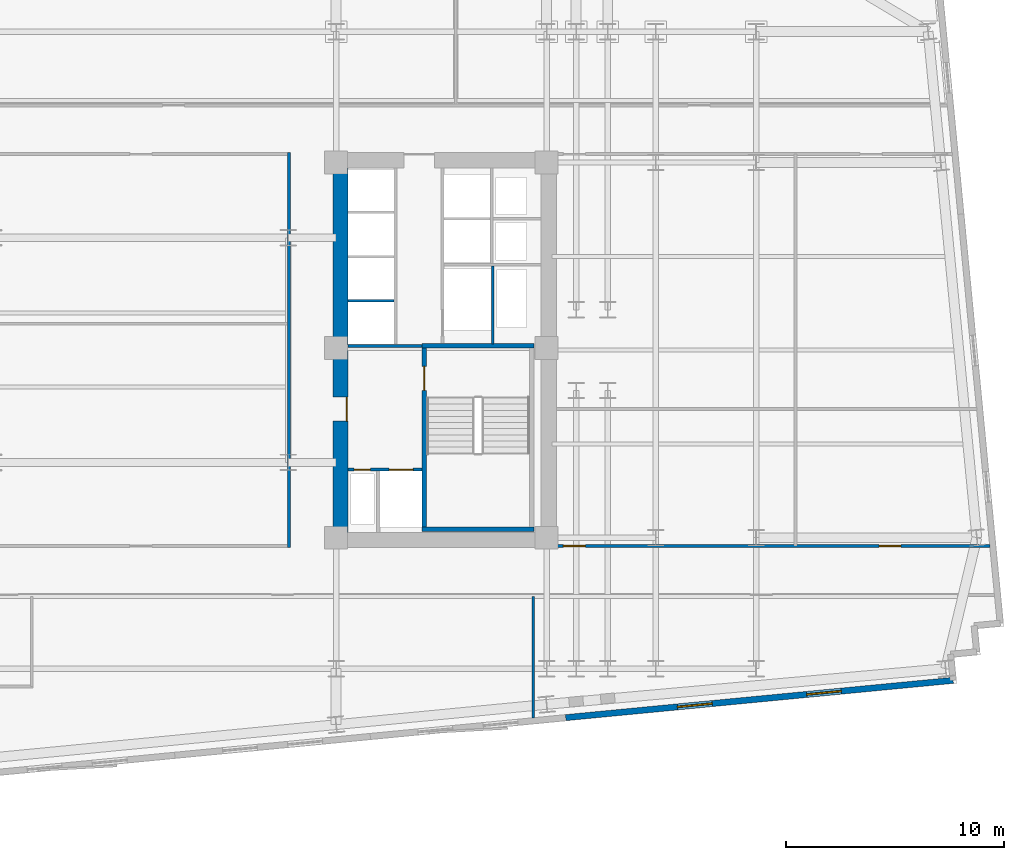
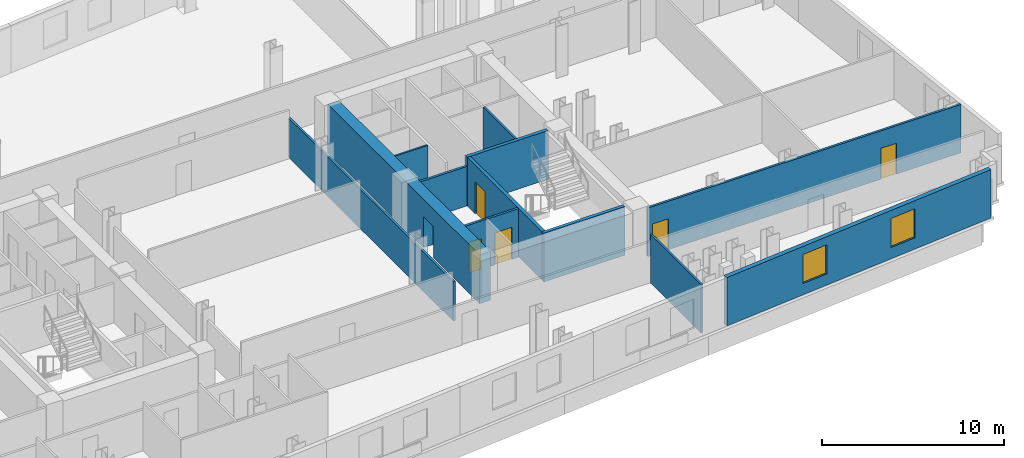
# One storey, part 6 of 10: 12 walls, 6 doors, 2 windows, 8 openings.
"""IFC4 building model written with IfcOpenShell, lengths in metres."""

from ifc_helpers import new_model, si_unit, direction, frame, frame_2d, origin, place, context, subcontext, project, spatial, rectangle, extrude, material, layer, layer_set, type_object, element, fill, save


model = new_model("IFC4")

# Units and contexts
model_context = context("Model", 3, precision=1e-05, world=origin(), true_north=direction((0.0, 1.0)))
body_context = subcontext(model_context, "Body", "Model", "MODEL_VIEW")
ifc_project = project(units=[si_unit("LENGTHUNIT", "METRE"), si_unit("AREAUNIT", "SQUARE_METRE"), si_unit("VOLUMEUNIT", "CUBIC_METRE"), si_unit("PLANEANGLEUNIT", "RADIAN"), si_unit("MASSUNIT", "GRAM", prefix="KILO")], contexts=[model_context])

# Site, building, storey
site_placement = place(None, origin())
site = spatial("IfcSite", under=ifc_project, at=site_placement, CompositionType="ELEMENT")
building_placement = place(site_placement, origin())
building = spatial("IfcBuilding", under=site, at=building_placement, Name="Velakula Bourse", CompositionType="ELEMENT")
storey_placement = place(building_placement, frame((0.0, 0.0, 74.199951171875)))
storey = spatial("IfcBuildingStorey", under=building, at=storey_placement, Name="L19", CompositionType="ELEMENT", Elevation=74.199951171875)

# Wall, opening, door
ifc_material_1 = material(Name="Concrete M50 (fck 50 MPa)", Category="concrete")
ifc_layer_1 = layer(ifc_material_1, 0.2099609375, Name="Concrete M50 (fck 50 MPa)", Category="concrete")
ifc_layer_set_1 = layer_set([ifc_layer_1], Name="Concrete M50 (fck 50 MPa)")
wall_type_1 = type_object("IfcWallType", Name="WL-CORE-210", PredefinedType="SHEAR", material=ifc_layer_set_1)
wall_1_placement = place(storey_placement, frame((12.9951171875, -8.10009765625, 0.0), z_axis=(0.0, 0.0, 1.0), x_axis=(0.0, 1.0, 0.0)))
wall_1 = element("IfcWall", 1, at=wall_1_placement, inside=storey, type_object=wall_type_1, Name="L19 Core E Stairwell Shear Wall IN", PredefinedType="SHEAR", context=body_context, shape_type="SweptSolid", body=[
    extrude(rectangle(XDim=8.2001953125, YDim=0.2099609375, at=frame_2d((4.10009765625, 0.0))), origin(), (0.0, 0.0, 1.0), 3.27001953125),
])
opening_1_placement = place(wall_1_placement, frame((6.25, 0.0, 0.0)))
opening_1 = element("IfcOpeningElement", 2, at=opening_1_placement, cuts=wall_1, Name="Opening D-STE1", PredefinedType="OPENING", context=body_context, shape_type="SweptSolid", body=[
    extrude(rectangle(XDim=1.10009765625, YDim=2.14990234375, at=frame_2d((0.550048828125, 1.074951171875))), frame((0.0, 0.114990234375, 0.0), z_axis=(0.0, -1.0, 0.0), x_axis=(1.0, 0.0, 0.0)), (0.0, 0.0, 1.0), 0.22998046875),
])
ifc_material_2 = material(Name="Galvanised painted hollow steel fire door", Category="steel")
door_type_1 = type_object("IfcDoorType", Name="DR-FD120-1100x2150", OperationType="NOTDEFINED", PredefinedType="DOOR", material=ifc_material_2)
door_1_placement = place(opening_1_placement, origin())
door_1 = element("IfcDoor", 3, at=door_1_placement, inside=storey, type_object=door_type_1, Name="L19 Stair ST-E1 Fire Door", OperationType="SINGLE_SWING_RIGHT", OverallHeight=2.14990234375, OverallWidth=1.10009765625, PredefinedType="DOOR", context=body_context, shape_type="SweptSolid", body=[
    extrude(rectangle(XDim=1.10009765625, YDim=2.14990234375, at=frame_2d((0.550048828125, 1.074951171875))), frame((0.0, 0.02490234375, 0.0), z_axis=(0.0, -1.0, 0.0), x_axis=(1.0, 0.0, 0.0)), (0.0, 0.0, 1.0), 0.050048828125),
])
fill(opening_1, door_1)

# Walls
for number, where, z_axis, x_axis, name in (
    (4, (12.889892578125, -8.205078125, 0.0), (0.0, 0.0, 1.0), (1.0, 0.0, 0.0), "L19 Core E Stairwell Shear Wall S"),
    (5, (18.030029296875, 0.205078125, 0.0), (0.0, 0.0, 1.0), (-1.0, 0.0, 0.0), "L19 Core E Stairwell Shear Wall N"),
):
    element("IfcWall", number, at=place(storey_placement, frame(where, z_axis=z_axis, x_axis=x_axis)), inside=storey, type_object=wall_type_1, Name=name, PredefinedType="SHEAR", context=body_context, shape_type="SweptSolid", body=[
        extrude(rectangle(XDim=5.14013671875, YDim=0.2099609375, at=frame_2d((2.570068359375, 0.0))), origin(), (0.0, 0.0, 1.0), 3.27001953125),
    ])

# Wall, opening, door
ifc_material_3 = material(Name="Concrete M70 (fck 70 MPa)", Category="concrete")
ifc_layer_2 = layer(ifc_material_3, 0.699951171875, Name="Concrete M70 (fck 70 MPa)", Category="concrete")
ifc_layer_set_2 = layer_set([ifc_layer_2], Name="Concrete M70 (fck 70 MPa)")
wall_type_2 = type_object("IfcWallType", Name="WL-CORE-700", PredefinedType="SHEAR", material=ifc_layer_set_2)
wall_2_placement = place(storey_placement, frame((9.14990234375, -8.35009765625, 0.0), z_axis=(0.0, 0.0, 1.0), x_axis=(0.0, 1.0, 0.0)))
wall_2 = element("IfcWall", 6, at=wall_2_placement, inside=storey, type_object=wall_type_2, Name="L19 Core E Shear Wall W", PredefinedType="SHEAR", context=body_context, shape_type="SweptSolid", body=[
    extrude(rectangle(XDim=16.7001953125, YDim=0.699951171875, at=frame_2d((8.35009765625, 0.0))), origin(), (0.0, 0.0, 1.0), 3.27001953125),
])
opening_2_placement = place(wall_2_placement, frame((5.10009765625, 0.0, 0.0)))
opening_2 = element("IfcOpeningElement", 7, at=opening_2_placement, cuts=wall_2, Name="Opening D-FLE", PredefinedType="OPENING", context=body_context, shape_type="SweptSolid", body=[
    extrude(rectangle(XDim=1.10009765625, YDim=2.080078125, at=frame_2d((0.550048828125, 1.0400390625))), frame((0.0, 0.35986328125, 0.0), z_axis=(0.0, -1.0, 0.0), x_axis=(1.0, 0.0, 0.0)), (0.0, 0.0, 1.0), 0.719970703125),
])
door_type_2 = type_object("IfcDoorType", Name="DR-FD120-1100", OperationType="NOTDEFINED", PredefinedType="DOOR", material=ifc_material_2)
door_2_placement = place(opening_2_placement, origin())
door_2 = element("IfcDoor", 8, at=door_2_placement, inside=storey, type_object=door_type_2, Name="L19 Firefighting Lobby E Corridor Fire Door", OperationType="SINGLE_SWING_RIGHT", OverallHeight=2.080078125, OverallWidth=1.10009765625, PredefinedType="DOOR", context=body_context, shape_type="SweptSolid", body=[
    extrude(rectangle(XDim=1.10009765625, YDim=2.080078125, at=frame_2d((0.550048828125, 1.0400390625))), frame((0.0, -0.2548828125, 0.0), z_axis=(0.0, -1.0, 0.0), x_axis=(1.0, 0.0, 0.0)), (0.0, 0.0, 1.0), 0.050048828125),
])
fill(opening_2, door_2)

# Wall, openings, windows
ifc_material_4 = material(Name="Red kilned clay facing brick masonry", Category="masonry")
ifc_layer_3 = layer(ifc_material_4, 0.280029296875, Name="Red kilned clay facing brick masonry", Category="masonry")
ifc_layer_set_3 = layer_set([ifc_layer_3], Name="Red kilned clay facing brick masonry")
wall_type_3 = type_object("IfcWallType", Name="WL-EXT-BRK-280", PredefinedType="STANDARD", material=ifc_layer_set_3)
wall_3_placement = place(storey_placement, frame((37.2314453125, -15.138427734375, 0.0), z_axis=(0.0, 0.0, 1.0), x_axis=(-0.995395780835, -0.095850088663, 0.0)))
wall_3 = element("IfcWall", 9, at=wall_3_placement, inside=storey, type_object=wall_type_3, Name="L19 S Brick Spandrel Wall B5", PredefinedType="STANDARD", context=body_context, shape_type="SweptSolid", body=[
    extrude(rectangle(XDim=17.83984375, YDim=0.280029296875, at=frame_2d((8.919921875, 0.0))), origin(), (0.0, 0.0, 1.0), 3.25),
])
opening_3_placement = place(wall_3_placement, frame((5.146728515625, 0.0, 0.760009765625)))
opening_3 = element("IfcOpeningElement", 10, at=opening_3_placement, cuts=wall_3, Name="Opening W-02", PredefinedType="OPENING", context=body_context, shape_type="SweptSolid", body=[
    extrude(rectangle(XDim=1.60009765625, YDim=1.949951171875, at=frame_2d((0.800048828125, 0.97509765625))), frame((0.0, 0.14990234375, 0.0), z_axis=(0.0, -1.0, 0.0), x_axis=(1.0, 0.0, 0.0)), (0.0, 0.0, 1.0), 0.300048828125),
])
opening_4_placement = place(wall_3_placement, frame((11.09326171875, 0.0, 0.760009765625)))
opening_4 = element("IfcOpeningElement", 11, at=opening_4_placement, cuts=wall_3, Name="Opening W-02", PredefinedType="OPENING", context=body_context, shape_type="SweptSolid", body=[
    extrude(rectangle(XDim=1.60009765625, YDim=1.949951171875, at=frame_2d((0.800048828125, 0.97509765625))), frame((0.0, 0.14990234375, 0.0), z_axis=(0.0, -1.0, 0.0), x_axis=(1.0, 0.0, 0.0)), (0.0, 0.0, 1.0), 0.300048828125),
])
ifc_material_5 = material(Name="Double-glazed solar-control Low-E glass", Category="glass")
window_type = type_object("IfcWindowType", Name="WIN-TWR-1600x2100", PartitioningType="SINGLE_PANEL", PredefinedType="WINDOW", material=ifc_material_5)
window_1_placement = place(opening_3_placement, origin())
window_1 = element("IfcWindow", 12, at=window_1_placement, inside=storey, type_object=window_type, Name="L19 Deep-Set Recessed Window 1", OverallHeight=1.949951171875, OverallWidth=1.60009765625, PartitioningType="SINGLE_PANEL", PredefinedType="WINDOW", context=body_context, shape_type="SweptSolid", body=[
    extrude(rectangle(XDim=1.60009765625, YDim=1.949951171875, at=frame_2d((0.800048828125, 0.97509765625))), frame((0.0, 0.030029296875, 0.0), z_axis=(0.0, -1.0, 0.0), x_axis=(1.0, 0.0, 0.0)), (0.0, 0.0, 1.0), 0.06005859375),
])
fill(opening_3, window_1)
window_2_placement = place(opening_4_placement, origin())
window_2 = element("IfcWindow", 13, at=window_2_placement, inside=storey, type_object=window_type, Name="L19 Deep-Set Recessed Window 2", OverallHeight=1.949951171875, OverallWidth=1.60009765625, PartitioningType="SINGLE_PANEL", PredefinedType="WINDOW", context=body_context, shape_type="SweptSolid", body=[
    extrude(rectangle(XDim=1.60009765625, YDim=1.949951171875, at=frame_2d((0.800048828125, 0.97509765625))), frame((0.0, 0.030029296875, 0.0), z_axis=(0.0, -1.0, 0.0), x_axis=(1.0, 0.0, 0.0)), (0.0, 0.0, 1.0), 0.06005859375),
])
fill(opening_4, window_2)

# Walls
ifc_material_6 = material(Name="Fire-rated double-layer gypsum drywall partition", Category="gypsum")
ifc_layer_4 = layer(ifc_material_6, 0.1201171875, Name="Fire-rated double-layer gypsum drywall partition", Category="gypsum")
ifc_layer_set_4 = layer_set([ifc_layer_4], Name="Fire-rated double-layer gypsum drywall partition")
wall_type_4 = type_object("IfcWallType", Name="WL-PART-120", PredefinedType="STANDARD", material=ifc_layer_set_4)
wall_4_placement = place(storey_placement, frame((9.5, 2.2548828125, 0.0), z_axis=(0.0, 0.0, 1.0), x_axis=(1.0, 0.0, 0.0)))
element("IfcWall", 14, at=wall_4_placement, inside=storey, type_object=wall_type_4, Name="L19 Interior Partition WL-CRE-L19-BDIV-0", PredefinedType="STANDARD", context=body_context, shape_type="SweptSolid", body=[
    extrude(rectangle(XDim=2.10009765625, YDim=0.110107421875, at=frame_2d((1.050048828125, 0.0))), origin(), (0.0, 0.0, 1.0), 3.25),
])
wall_5_placement = place(storey_placement, frame((16.125, 0.27001953125, 0.0), z_axis=(0.0, 0.0, 1.0), x_axis=(0.0, 1.0, 0.0)))
element("IfcWall", 15, at=wall_5_placement, inside=storey, type_object=wall_type_4, Name="L19 Interior Partition WL-CRE-L19-SVL-E", PredefinedType="STANDARD", context=body_context, shape_type="SweptSolid", body=[
    extrude(rectangle(XDim=3.590087890625, YDim=0.1201171875, at=frame_2d((1.794921875, 0.0))), origin(), (0.0, 0.0, 1.0), 3.25),
])
wall_6_placement = place(storey_placement, frame((17.98095703125, -16.87158203125, 0.0), z_axis=(0.0, 0.0, 1.0), x_axis=(0.0, 1.0, 0.0)))
element("IfcWall", 16, at=wall_6_placement, inside=storey, type_object=wall_type_4, Name="L19 Interior Partition WL-INT-L19-SR-D6", PredefinedType="STANDARD", context=body_context, shape_type="SweptSolid", body=[
    extrude(rectangle(XDim=5.58154296875, YDim=0.1201171875, at=frame_2d((2.790771484375, 0.0))), origin(), (0.0, 0.0, 1.0), 3.25),
])

# Wall, openings, doors
ifc_layer_5 = layer(ifc_material_6, 0.139892578125, Name="Fire-rated double-layer gypsum drywall partition", Category="gypsum")
ifc_layer_set_5 = layer_set([ifc_layer_5], Name="Fire-rated double-layer gypsum drywall partition")
wall_type_5 = type_object("IfcWallType", Name="WL-PART-140", PredefinedType="STANDARD", material=ifc_layer_set_5)
wall_7_placement = place(storey_placement, frame((19.050048828125, -8.97998046875, 0.0), z_axis=(0.0, 0.0, 1.0), x_axis=(1.0, 0.0, 0.0)))
wall_7 = element("IfcWall", 17, at=wall_7_placement, inside=storey, type_object=wall_type_5, Name="L19 Interior Partition WL-INT-L19-E-SC", PredefinedType="STANDARD", context=body_context, shape_type="SweptSolid", body=[
    extrude(rectangle(XDim=19.87890625, YDim=0.139892578125, at=frame_2d((9.939453125, 0.0))), origin(), (0.0, 0.0, 1.0), 3.25),
])
opening_5_placement = place(wall_7_placement, frame((0.320068359375, 0.0, 0.0)))
opening_5 = element("IfcOpeningElement", 18, at=opening_5_placement, cuts=wall_7, Name="Opening D-OF1", PredefinedType="OPENING", context=body_context, shape_type="SweptSolid", body=[
    extrude(rectangle(XDim=1.0, YDim=2.080078125, at=frame_2d((0.5, 1.0400390625))), frame((0.0, 0.079833984375, 0.0), z_axis=(0.0, -1.0, 0.0), x_axis=(1.0, 0.0, 0.0)), (0.0, 0.0, 1.0), 0.159912109375),
])
opening_6_placement = place(wall_7_placement, frame((14.7890625, 0.0, 0.0)))
opening_6 = element("IfcOpeningElement", 19, at=opening_6_placement, cuts=wall_7, Name="Opening D-OF1", PredefinedType="OPENING", context=body_context, shape_type="SweptSolid", body=[
    extrude(rectangle(XDim=1.0, YDim=2.080078125, at=frame_2d((0.5, 1.0400390625))), frame((0.0, 0.079833984375, 0.0), z_axis=(0.0, -1.0, 0.0), x_axis=(1.0, 0.0, 0.0)), (0.0, 0.0, 1.0), 0.159912109375),
])
ifc_material_7 = material(Name="Fire-rated hardwood flush architectural door", Category="wood")
door_type_3 = type_object("IfcDoorType", Name="DR-OFF-1000", OperationType="NOTDEFINED", PredefinedType="DOOR", material=ifc_material_7)
door_3_placement = place(opening_5_placement, origin())
door_3 = element("IfcDoor", 20, at=door_3_placement, inside=storey, type_object=door_type_3, Name="L19 Broadcast Control Office Door", OperationType="SINGLE_SWING_LEFT", OverallHeight=2.080078125, OverallWidth=1.0, PredefinedType="DOOR", context=body_context, shape_type="SweptSolid", body=[
    extrude(rectangle(XDim=1.0, YDim=2.080078125, at=frame_2d((0.5, 1.0400390625))), frame((0.0, 0.02490234375, 0.0), z_axis=(0.0, -1.0, 0.0), x_axis=(1.0, 0.0, 0.0)), (0.0, 0.0, 1.0), 0.050048828125),
])
fill(opening_5, door_3)
door_4_placement = place(opening_6_placement, origin())
door_4 = element("IfcDoor", 21, at=door_4_placement, inside=storey, type_object=door_type_3, Name="L19 Yield Curve Seminar Room Door", OperationType="SINGLE_SWING_RIGHT", OverallHeight=2.080078125, OverallWidth=1.0, PredefinedType="DOOR", context=body_context, shape_type="SweptSolid", body=[
    extrude(rectangle(XDim=1.0, YDim=2.080078125, at=frame_2d((0.5, 1.0400390625))), frame((0.0, 0.02490234375, 0.0), z_axis=(0.0, -1.0, 0.0), x_axis=(1.0, 0.0, 0.0)), (0.0, 0.0, 1.0), 0.050048828125),
])
fill(opening_6, door_4)

# Wall
wall_8_placement = place(storey_placement, frame((6.780029296875, -9.050048828125, 0.0), z_axis=(0.0, 0.0, 1.0), x_axis=(0.0, 1.0, 0.0)))
element("IfcWall", 22, at=wall_8_placement, inside=storey, type_object=wall_type_5, Name="L19 Interior Partition WL-INT-L19-MID-E", PredefinedType="STANDARD", context=body_context, shape_type="SweptSolid", body=[
    extrude(rectangle(XDim=18.10009765625, YDim=0.139892578125, at=frame_2d((9.050048828125, 0.0))), origin(), (0.0, 0.0, 1.0), 2.64501953125),
])

# Wall, openings, doors
ifc_material_8 = material(Name="Autoclaved aerated concrete blockwork masonry", Category="masonry")
ifc_layer_6 = layer(ifc_material_8, 0.14990234375, Name="Autoclaved aerated concrete blockwork masonry", Category="masonry")
ifc_layer_set_6 = layer_set([ifc_layer_6], Name="Autoclaved aerated concrete blockwork masonry")
wall_type_6 = type_object("IfcWallType", Name="WL-SHAFT-150", PredefinedType="STANDARD", material=ifc_layer_set_6)
wall_9_placement = place(storey_placement, frame((9.5, -5.47509765625, 0.0), z_axis=(0.0, 0.0, 1.0), x_axis=(1.0, 0.0, 0.0)))
wall_9 = element("IfcWall", 23, at=wall_9_placement, inside=storey, type_object=wall_type_6, Name="L19 Interior Partition WL-CRE-L19-FFL-N", PredefinedType="STANDARD", context=body_context, shape_type="SweptSolid", body=[
    extrude(rectangle(XDim=3.39501953125, YDim=0.14990234375, at=frame_2d((1.697509765625, 0.0))), origin(), (0.0, 0.0, 1.0), 3.25),
])
opening_7_placement = place(wall_9_placement, frame((1.875, 0.0, 0.0)))
opening_7 = element("IfcOpeningElement", 24, at=opening_7_placement, cuts=wall_9, Name="Opening LD-FFL-2", PredefinedType="OPENING", context=body_context, shape_type="SweptSolid", body=[
    extrude(rectangle(XDim=1.10009765625, YDim=2.14990234375, at=frame_2d((0.550048828125, 1.074951171875))), frame((0.0, 0.0849609375, 0.0), z_axis=(0.0, -1.0, 0.0), x_axis=(1.0, 0.0, 0.0)), (0.0, 0.0, 1.0), 0.169921875),
])
opening_8_placement = place(wall_9_placement, frame((0.27490234375, 0.0, 0.0)))
opening_8 = element("IfcOpeningElement", 25, at=opening_8_placement, cuts=wall_9, Name="Opening D-RS1", PredefinedType="OPENING", context=body_context, shape_type="SweptSolid", body=[
    extrude(rectangle(XDim=0.75, YDim=2.050048828125, at=frame_2d((0.375, 1.02490234375))), frame((0.0, 0.0849609375, 0.0), z_axis=(0.0, -1.0, 0.0), x_axis=(1.0, 0.0, 0.0)), (0.0, 0.0, 1.0), 0.169921875),
])
door_type_4 = type_object("IfcDoorType", Name="DR-RISER-800", OperationType="NOTDEFINED", PredefinedType="DOOR", material=ifc_material_2)
door_5_placement = place(opening_8_placement, origin())
door_5 = element("IfcDoor", 26, at=door_5_placement, inside=storey, type_object=door_type_4, Name="L19 Fire Riser Access Door", OperationType="SINGLE_SWING_LEFT", OverallHeight=2.050048828125, OverallWidth=0.75, PredefinedType="DOOR", context=body_context, shape_type="SweptSolid", body=[
    extrude(rectangle(XDim=0.75, YDim=2.050048828125, at=frame_2d((0.375, 1.02490234375))), frame((0.0, 0.02490234375, 0.0), z_axis=(0.0, -1.0, 0.0), x_axis=(1.0, 0.0, 0.0)), (0.0, 0.0, 1.0), 0.050048828125),
])
fill(opening_8, door_5)
ifc_material_9 = material(Name="Brushed grade 316 stainless steel", Category="steel")
door_type_5 = type_object("IfcDoorType", Name="DR-SLIDE-FFL-1100", OperationType="DOUBLE_DOOR_SLIDING", PredefinedType="DOOR", material=ifc_material_9)
door_6_placement = place(opening_7_placement, origin())
door_6 = element("IfcDoor", 27, at=door_6_placement, inside=storey, type_object=door_type_5, Name="L19 Firefighting Lift FFL-2 Sliding Landing Door", OperationType="DOUBLE_DOOR_SLIDING", OverallHeight=2.14990234375, OverallWidth=1.10009765625, PredefinedType="DOOR", context=body_context, shape_type="SweptSolid", body=[
    extrude(rectangle(XDim=1.10009765625, YDim=2.14990234375, at=frame_2d((0.550048828125, 1.074951171875))), frame((0.0, 0.02490234375, 0.0), z_axis=(0.0, -1.0, 0.0), x_axis=(1.0, 0.0, 0.0)), (0.0, 0.0, 1.0), 0.050048828125),
])
fill(opening_7, door_6)

# Wall
wall_10_placement = place(storey_placement, frame((9.5, 0.18994140625, 0.0), z_axis=(0.0, 0.0, 1.0), x_axis=(1.0, 0.0, 0.0)))
element("IfcWall", 28, at=wall_10_placement, inside=storey, type_object=wall_type_6, Name="L19 Interior Partition WL-CRE-L19-FF-TOP", PredefinedType="STANDARD", context=body_context, shape_type="SweptSolid", body=[
    extrude(rectangle(XDim=3.389892578125, YDim=0.14990234375, at=frame_2d((1.69482421875, 0.0))), origin(), (0.0, 0.0, 1.0), 2.64501953125),
])

save(model, "model.ifc")
